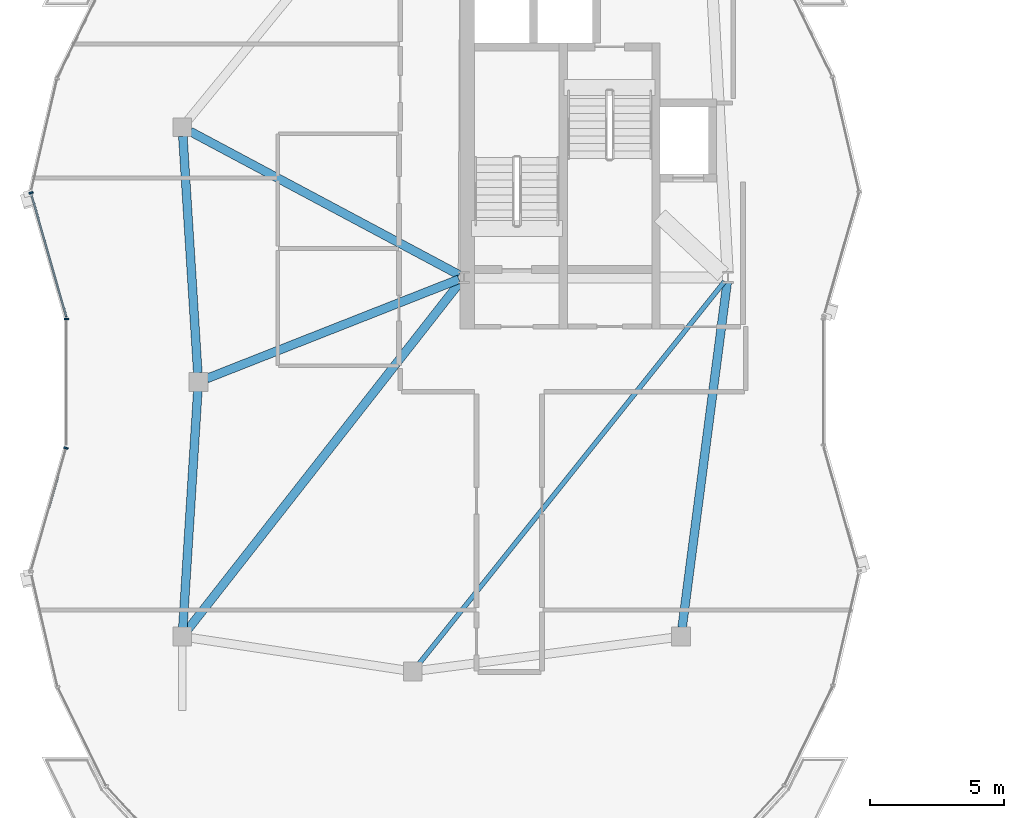
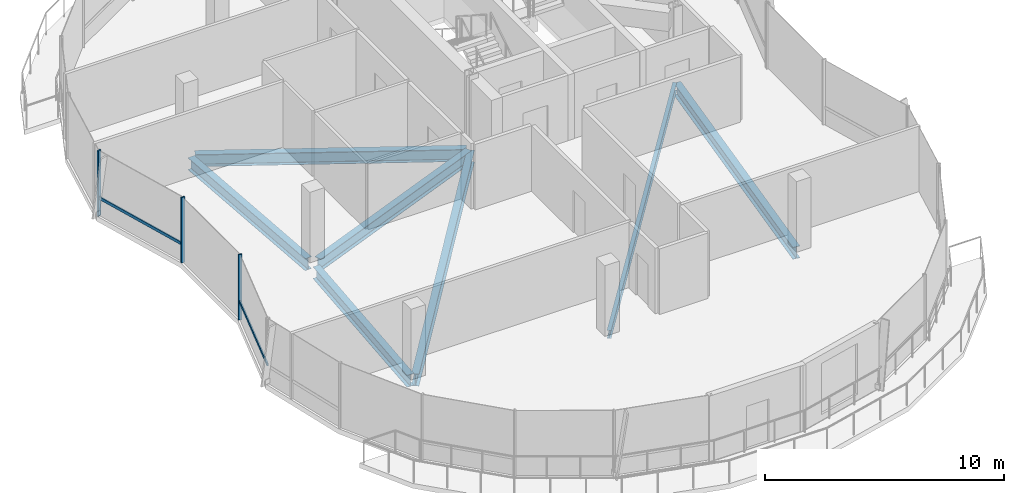
# One storey, part 3 of 20: 7 beams, 5 members, 1 element without a shape of its own.
"""IFC4 building model written with IfcOpenShell, lengths in metres."""

from ifc_helpers import new_model, si_unit, direction, frame, origin, origin_2d, place, context, subcontext, project, spatial, rectangle, i_section, extrude, material, material_profile, profile_set, type_object, element, aggregate, save


model = new_model("IFC4")

# Units and contexts
model_context = context("Model", 3, precision=1e-05, world=origin(), true_north=direction((0.0, 1.0)))
body_context = subcontext(model_context, "Body", "Model", "MODEL_VIEW")
ifc_project = project(units=[si_unit("LENGTHUNIT", "METRE"), si_unit("AREAUNIT", "SQUARE_METRE"), si_unit("VOLUMEUNIT", "CUBIC_METRE"), si_unit("PLANEANGLEUNIT", "RADIAN"), si_unit("MASSUNIT", "GRAM", prefix="KILO"), si_unit("THERMODYNAMICTEMPERATUREUNIT", "KELVIN"), si_unit("POWERUNIT", "WATT")], contexts=[model_context])

# Site, building, storey
site_placement = place(None, origin())
site = spatial("IfcSite", under=ifc_project, at=site_placement, CompositionType="ELEMENT")
building_placement = place(site_placement, origin())
building = spatial("IfcBuilding", under=site, at=building_placement, Name="Cundina Bronze Exchange", CompositionType="ELEMENT")
storey_placement = place(building_placement, frame((0.0, 0.0, 279.199951171875)))
storey = spatial("IfcBuildingStorey", under=building, at=storey_placement, Name="L74", CompositionType="ELEMENT", Elevation=279.199951171875)

# Beams
ifc_material_1 = material(Name="Steel ASTM A992 Grade 50", Category="steel")
ifc_material_profile_1 = material_profile(ifc_material_1, i_section(OverallWidth=0.178955078125, OverallDepth=0.409912109375, WebThickness=0.0087890625, FlangeThickness=0.014404296875, FilletRadius=0.010986328125, at=origin_2d()), Name="W16X45", Category="steel")
ifc_profile_set_1 = profile_set([ifc_material_profile_1], Name="Steel ASTM A992 Grade 50")
beam_type_1 = type_object("IfcBeamType", Name="BM-JST-W16", PredefinedType="JOIST", material=ifc_profile_set_1)
beam_1_placement = place(storey_placement, frame((-21.572509765625, 3.746826171875, -0.46484375), z_axis=(-0.624372589071, -0.781126667076, 0.0), x_axis=(0.781126667076, -0.624372589071, 0.0)))
element("IfcBeam", 1, at=beam_1_placement, inside=storey, type_object=beam_type_1, Name="L74 W Interior Core-to-Ring Joist 2", PredefinedType="JOIST", context=body_context, shape_type="SweptSolid", body=[
    extrude(i_section(OverallWidth=0.178955078125, OverallDepth=0.409912109375, WebThickness=0.0087890625, FlangeThickness=0.014404296875, FilletRadius=0.010986328125, at=origin_2d()), origin(), (0.0, 0.0, 1.0), 18.28466796875),
])
ifc_material_profile_2 = material_profile(ifc_material_1, i_section(OverallWidth=0.324951171875, OverallDepth=0.615966796875, WebThickness=0.013916015625, FlangeThickness=0.021484375, FilletRadius=0.01611328125, at=origin_2d()), Name="W24X117", Category="steel")
ifc_profile_set_2 = profile_set([ifc_material_profile_2], Name="Steel ASTM A992 Grade 50")
beam_type_2 = type_object("IfcBeamType", Name="BM-RING-W24", PredefinedType="USERDEFINED", material=ifc_profile_set_2)
for number, where, z_axis, x_axis, name in (
    (2, (-41.77880859375, 9.16259765625, -0.56787109375), (0.063058935332, -0.998009804899, 0.0), (0.998009804899, 0.063058935332, 0.0), "L74 W Inner Structural Ring Girder 03"),
    (3, (-41.22119140625, -0.33740234375, -0.56787109375), (-0.063058935332, -0.998009804899, 0.0), (0.998009804899, -0.063058935332, 0.0), "L74 W Inner Structural Ring Girder 04"),
):
    element("IfcBeam", number, at=place(storey_placement, frame(where, z_axis=z_axis, x_axis=x_axis)), inside=storey, type_object=beam_type_2, Name=name, ObjectType="GIRDER", PredefinedType="USERDEFINED", context=body_context, shape_type="SweptSolid", body=[
        extrude(i_section(OverallWidth=0.324951171875, OverallDepth=0.615966796875, WebThickness=0.013916015625, FlangeThickness=0.021484375, FilletRadius=0.01611328125, at=origin_2d()), origin(), (0.0, 0.0, 1.0), 8.8427734375),
    ])
beam_2_placement = place(storey_placement, frame((-23.15625, -9.164794921875, -0.56787109375), z_axis=(0.12950080795, 0.991579316414, 0.0), x_axis=(-0.991579316414, 0.12950080795, 0.0)))
element("IfcBeam", 4, at=beam_2_placement, inside=storey, type_object=beam_type_2, Name="L74 W Inner Structural Ring Girder 07", ObjectType="GIRDER", PredefinedType="USERDEFINED", context=body_context, shape_type="SweptSolid", body=[
    extrude(i_section(OverallWidth=0.324951171875, OverallDepth=0.615966796875, WebThickness=0.013916015625, FlangeThickness=0.021484375, FilletRadius=0.01611328125, at=origin_2d()), origin(), (0.0, 0.0, 1.0), 12.97998046875),
])
beam_3_placement = place(storey_placement, frame((-31.482421875, 3.828125, -0.56787109375), z_axis=(-0.93040489789, -0.366533389996, 0.0), x_axis=(0.366533389996, -0.93040489789, 0.0)))
element("IfcBeam", 5, at=beam_3_placement, inside=storey, type_object=beam_type_2, Name="L74 W Core-to-Waist Tie Beam 1", ObjectType="GIRDER", PredefinedType="USERDEFINED", context=body_context, shape_type="SweptSolid", body=[
    extrude(i_section(OverallWidth=0.324951171875, OverallDepth=0.615966796875, WebThickness=0.013916015625, FlangeThickness=0.021484375, FilletRadius=0.01611328125, at=origin_2d()), origin(), (0.0, 0.0, 1.0), 10.1064453125),
])
beam_4_placement = place(storey_placement, frame((-31.472900390625, 3.9921875, -0.56787109375), z_axis=(-0.882355319573, 0.470583775773, 0.0), x_axis=(-0.470583775773, -0.882355319573, 0.0)))
element("IfcBeam", 6, at=beam_4_placement, inside=storey, type_object=beam_type_2, Name="L74 W Core-to-Waist Tie Beam 2", ObjectType="GIRDER", PredefinedType="USERDEFINED", context=body_context, shape_type="SweptSolid", body=[
    extrude(i_section(OverallWidth=0.324951171875, OverallDepth=0.615966796875, WebThickness=0.013916015625, FlangeThickness=0.021484375, FilletRadius=0.01611328125, at=origin_2d()), origin(), (0.0, 0.0, 1.0), 11.365966796875),
])
beam_5_placement = place(storey_placement, frame((-31.4208984375, 3.74560546875, -0.56787109375), z_axis=(-0.616789200607, -0.787128377087, 0.0), x_axis=(0.787128377087, -0.616789200607, 0.0)))
element("IfcBeam", 7, at=beam_5_placement, inside=storey, type_object=beam_type_2, Name="L74 W Core-to-Waist Tie Beam 3", ObjectType="GIRDER", PredefinedType="USERDEFINED", context=body_context, shape_type="SweptSolid", body=[
    extrude(i_section(OverallWidth=0.324951171875, OverallDepth=0.615966796875, WebThickness=0.013916015625, FlangeThickness=0.021484375, FilletRadius=0.01611328125, at=origin_2d()), origin(), (0.0, 0.0, 1.0), 16.48974609375),
])

# Curtain wall, members
ifc_material_2 = material(Name="Anodised Bronze Aluminium 6063-T6", Category="aluminium")
curtain_wall_type = type_object("IfcCurtainWallType", Name="CWS-CRN-TMD", PredefinedType="NOTDEFINED", material=ifc_material_2)
curtain_wall_placement = place(storey_placement, origin())
curtain_wall = element("IfcCurtainWall", 8, at=curtain_wall_placement, inside=storey, type_object=curtain_wall_type, Name="L74 CW-07 Curtain Wall Run CWR-L74-W2", PredefinedType="NOTDEFINED")
ifc_material_profile_3 = material_profile(ifc_material_2, rectangle(XDim=0.06494140625, YDim=0.159912109375, at=origin_2d()), Name="AL65X160", Category="aluminium")
ifc_profile_set_3 = profile_set([ifc_material_profile_3], Name="Anodised Bronze Aluminium 6063-T6")
member_type_1 = type_object("IfcMemberType", Name="CWM-MUL-160", PredefinedType="MULLION", material=ifc_profile_set_3)
member_1_placement = place(storey_placement, frame((-47.4453125, 7.0517578125, 0.0), z_axis=(0.0, 0.0, 1.0), x_axis=(0.274630573972, -0.961549815579, 0.0)))
member_1 = element("IfcMember", 9, at=member_1_placement, type_object=member_type_1, Name="CW-07 Mullion 5", PredefinedType="MULLION", context=body_context, shape_type="SweptSolid", body=[
    extrude(rectangle(XDim=0.06494140625, YDim=0.159912109375, at=origin_2d()), origin(), (0.0, 0.0, 1.0), 3.340087890625),
])
member_2_placement = place(storey_placement, frame((-46.1201171875, 2.3505859375, 0.0), z_axis=(0.0, 0.0, 1.0), x_axis=(0.0, -1.0, 0.0)))
member_2 = element("IfcMember", 10, at=member_2_placement, type_object=member_type_1, Name="CW-07 Mullion 6", PredefinedType="MULLION", context=body_context, shape_type="SweptSolid", body=[
    extrude(rectangle(XDim=0.06494140625, YDim=0.159912109375, at=origin_2d()), origin(), (0.0, 0.0, 1.0), 3.340087890625),
])
member_3_placement = place(storey_placement, frame((-46.13623046875, -2.46728515625, 0.0), z_axis=(0.0, 0.0, 1.0), x_axis=(-0.274630573972, -0.961549815579, 0.0)))
member_3 = element("IfcMember", 11, at=member_3_placement, type_object=member_type_1, Name="CW-07 Mullion 7", PredefinedType="MULLION", context=body_context, shape_type="SweptSolid", body=[
    extrude(rectangle(XDim=0.06494140625, YDim=0.159912109375, at=origin_2d()), origin(), (0.0, 0.0, 1.0), 3.340087890625),
])
ifc_material_profile_4 = material_profile(ifc_material_2, rectangle(XDim=0.06494140625, YDim=0.14990234375, at=origin_2d()), Name="AL65X150", Category="aluminium")
ifc_profile_set_4 = profile_set([ifc_material_profile_4], Name="Anodised Bronze Aluminium 6063-T6")
member_type_2 = type_object("IfcMemberType", Name="CWM-TRN-150", PredefinedType="USERDEFINED", material=ifc_profile_set_4)
member_4_placement = place(storey_placement, frame((-47.435546875, 7.017333984375, 0.920166015625), z_axis=(0.27457233424, -0.961566447662, 0.0), x_axis=(0.961566447662, 0.27457233424, 0.0)))
member_4 = element("IfcMember", 12, at=member_4_placement, type_object=member_type_2, Name="CW-07 Spandrel Transom 5", ObjectType="TRANSOM", PredefinedType="USERDEFINED", context=body_context, shape_type="SweptSolid", body=[
    extrude(rectangle(XDim=0.06494140625, YDim=0.14990234375, at=origin_2d()), origin(), (0.0, 0.0, 1.0), 4.767822265625),
])
member_5_placement = place(storey_placement, frame((-46.146240234375, -2.501708984375, 0.920166015625), z_axis=(-0.274549464506, -0.96157297775, 0.0), x_axis=(0.96157297775, -0.274549464506, 0.0)))
member_5 = element("IfcMember", 13, at=member_5_placement, type_object=member_type_2, Name="CW-07 Spandrel Transom 7", ObjectType="TRANSOM", PredefinedType="USERDEFINED", context=body_context, shape_type="SweptSolid", body=[
    extrude(rectangle(XDim=0.06494140625, YDim=0.14990234375, at=origin_2d()), origin(), (0.0, 0.0, 1.0), 4.696044921875),
])
aggregate(curtain_wall, [member_1, member_4, member_2, member_3, member_5])

save(model, "model.ifc")
